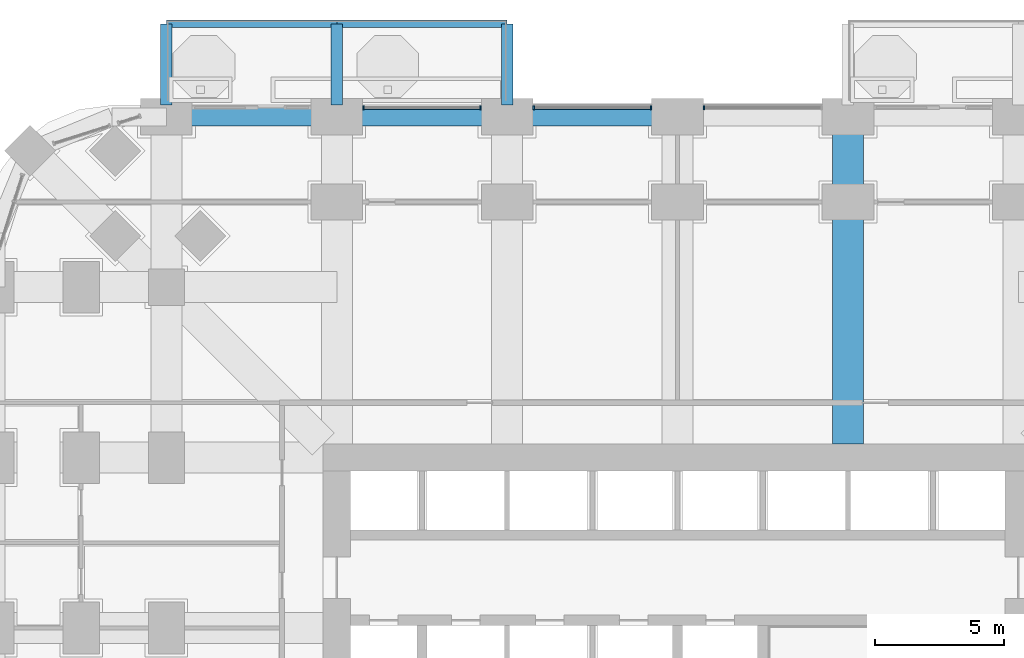
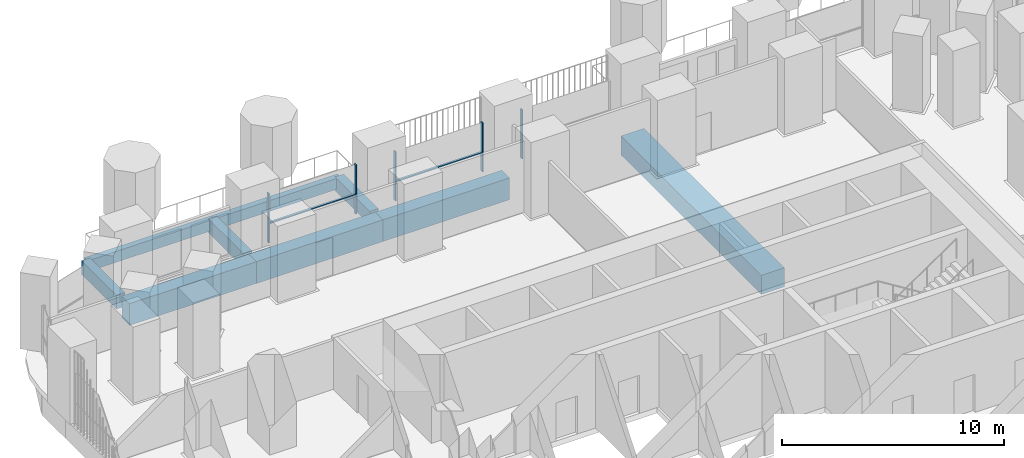
# One storey, part 8 of 25: 9 beams, 7 members, 3 elements without a shape of their own.
"""IFC4 building model written with IfcOpenShell, lengths in metres."""

from ifc_helpers import new_model, si_unit, direction, frame, origin, origin_2d, place, context, subcontext, project, spatial, rectangle, extrude, material, material_profile, profile_set, type_object, element, aggregate, save


model = new_model("IFC4")

# Units and contexts
model_context = context("Model", 3, precision=1e-05, world=origin(), true_north=direction((0.0, 1.0)))
body_context = subcontext(model_context, "Body", "Model", "MODEL_VIEW")
ifc_project = project(units=[si_unit("LENGTHUNIT", "METRE"), si_unit("AREAUNIT", "SQUARE_METRE"), si_unit("VOLUMEUNIT", "CUBIC_METRE"), si_unit("PLANEANGLEUNIT", "RADIAN"), si_unit("MASSUNIT", "GRAM", prefix="KILO")], contexts=[model_context])

# Site, building, storey
site_placement = place(None, origin())
site = spatial("IfcSite", under=ifc_project, at=site_placement, CompositionType="ELEMENT")
building_placement = place(site_placement, origin())
building = spatial("IfcBuilding", under=site, at=building_placement, Name="Cobogo Forest Laboratory Tower", CompositionType="ELEMENT")
storey_placement = place(building_placement, frame((0.0, 0.0, 21.300048828125)))
storey = spatial("IfcBuildingStorey", under=building, at=storey_placement, Name="L04", CompositionType="ELEMENT", Elevation=21.300048828125)

# Beams
ifc_material_1 = material(Name="Concrete HA-40 (C40/50)", Category="concrete")
ifc_material_profile_1 = material_profile(ifc_material_1, rectangle(XDim=0.449951171875, YDim=0.75, at=origin_2d()), Name="RC 450x750")
ifc_profile_set_1 = profile_set([ifc_material_profile_1], Name="Concrete HA-40 (C40/50)")
beam_type_1 = type_object("IfcBeamType", Name="Balcony cantilever beam 450x750", PredefinedType="BEAM", material=ifc_profile_set_1)
for number, where, z_axis, x_axis, name in (
    (1, (6.60009765625, 46.64990234375, -0.625), (0.0, 1.0, 0.0), (-1.0, 0.0, 0.0), "CB1 BAL-N1-C1 L04"),
    (2, (13.199951171875, 46.64990234375, -0.625), (0.0, 1.0, 0.0), (-1.0, 0.0, 0.0), "CB1 BAL-N1-C2 L04"),
    (3, (19.800048828125, 46.64990234375, -0.625), (0.0, 1.0, 0.0), (-1.0, 0.0, 0.0), "CB1 BAL-N1-C3 L04"),
):
    element("IfcBeam", number, at=place(storey_placement, frame(where, z_axis=z_axis, x_axis=x_axis)), inside=storey, type_object=beam_type_1, Name=name, PredefinedType="BEAM", context=body_context, shape_type="SweptSolid", body=[
        extrude(rectangle(XDim=0.449951171875, YDim=0.75, at=origin_2d()), origin(), (0.0, 0.0, 1.0), 3.150146484375),
    ])
ifc_material_profile_2 = material_profile(ifc_material_1, rectangle(XDim=0.300048828125, YDim=0.60009765625, at=origin_2d()), Name="RC 300x600")
ifc_profile_set_2 = profile_set([ifc_material_profile_2], Name="Concrete HA-40 (C40/50)")
beam_type_2 = type_object("IfcBeamType", Name="Balcony edge beam 300x600", PredefinedType="BEAM", material=ifc_profile_set_2)
beam_1_placement = place(storey_placement, frame((6.60009765625, 49.800048828125, -0.550048828125), z_axis=(1.0, 0.0, 0.0), x_axis=(0.0, 1.0, 0.0)))
element("IfcBeam", 4, at=beam_1_placement, inside=storey, type_object=beam_type_2, Name="BB1 BAL-N1-T1 L04", PredefinedType="BEAM", context=body_context, shape_type="SweptSolid", body=[
    extrude(rectangle(XDim=0.300048828125, YDim=0.60009765625, at=origin_2d()), origin(), (0.0, 0.0, 1.0), 6.599853515625),
])
beam_2_placement = place(storey_placement, frame((13.199951171875, 49.800048828125, -0.550048828125), z_axis=(1.0, 0.0, 0.0), x_axis=(0.0, 1.0, 0.0)))
element("IfcBeam", 5, at=beam_2_placement, inside=storey, type_object=beam_type_2, Name="BB1 BAL-N1-T2 L04", PredefinedType="BEAM", context=body_context, shape_type="SweptSolid", body=[
    extrude(rectangle(XDim=0.300048828125, YDim=0.60009765625, at=origin_2d()), origin(), (0.0, 0.0, 1.0), 6.60009765625),
])
ifc_material_profile_3 = material_profile(ifc_material_1, rectangle(XDim=1.199951171875, YDim=1.050048828125, at=origin_2d()), Name="RC 1200x1050")
ifc_profile_set_3 = profile_set([ifc_material_profile_3], Name="Concrete HA-40 (C40/50)")
beam_type_3 = type_object("IfcBeamType", Name="Laboratory floor wide beam 1200x1050", PredefinedType="BEAM", material=ifc_profile_set_3)
beam_3_placement = place(storey_placement, frame((33.0, 33.52490234375, -0.824951171875), z_axis=(0.0, 1.0, 0.0), x_axis=(-1.0, 0.0, 0.0)))
element("IfcBeam", 6, at=beam_3_placement, inside=storey, type_object=beam_type_3, Name="RB1 R-6-N L04", PredefinedType="BEAM", context=body_context, shape_type="SweptSolid", body=[
    extrude(rectangle(XDim=1.199951171875, YDim=1.050048828125, at=origin_2d()), origin(), (0.0, 0.0, 1.0), 12.675048828125),
])

# Curtain wall, member
ifc_material_2 = material(Name="Aluminium curtain wall", Category="aluminium")
curtain_wall_type = type_object("IfcCurtainWallType", Name="CW-1 unitised curtain wall, clear glazing, laboratory floors zones A and B", PredefinedType="USERDEFINED", material=ifc_material_2)
curtain_wall_1_placement = place(storey_placement, origin())
curtain_wall_1 = element("IfcCurtainWall", 7, at=curtain_wall_1_placement, inside=storey, type_object=curtain_wall_type, Name="Curtain wall 20 L04", ObjectType="UNITISED CURTAIN WALL", PredefinedType="USERDEFINED")
ifc_material_3 = material(Name="Aluminium mullion", Category="aluminium")
ifc_material_profile_4 = material_profile(ifc_material_3, rectangle(XDim=0.06005859375, YDim=0.159912109375, at=origin_2d()), Name="AL 60x160")
ifc_profile_set_4 = profile_set([ifc_material_profile_4], Name="Aluminium mullion")
member_type_1 = type_object("IfcMemberType", Name="MU-1 aluminium mullion 60x160", PredefinedType="MULLION", material=ifc_profile_set_4)
member_1_placement = place(storey_placement, frame((27.429931640625, 46.550048828125, 0.0), z_axis=(0.0, 0.0, 1.0), x_axis=(-1.0, 0.0, 0.0)))
member_1 = element("IfcMember", 8, at=member_1_placement, type_object=member_type_1, Name="CW-1 mullion 2", PredefinedType="MULLION", context=body_context, shape_type="SweptSolid", body=[
    extrude(rectangle(XDim=0.06005859375, YDim=0.159912109375, at=origin_2d()), origin(), (0.0, 0.0, 1.0), 2.699951171875),
])
aggregate(curtain_wall_1, [member_1])

# Curtain wall, members
curtain_wall_2_placement = place(storey_placement, origin())
curtain_wall_2 = element("IfcCurtainWall", 9, at=curtain_wall_2_placement, inside=storey, type_object=curtain_wall_type, Name="Curtain wall 21 L04", ObjectType="UNITISED CURTAIN WALL", PredefinedType="USERDEFINED")
member_2_placement = place(storey_placement, frame((25.3701171875, 46.550048828125, 0.0), z_axis=(0.0, 0.0, 1.0), x_axis=(-1.0, 0.0, 0.0)))
member_2 = element("IfcMember", 10, at=member_2_placement, type_object=member_type_1, Name="CW-1 mullion 1", PredefinedType="MULLION", context=body_context, shape_type="SweptSolid", body=[
    extrude(rectangle(XDim=0.06005859375, YDim=0.159912109375, at=origin_2d()), origin(), (0.0, 0.0, 1.0), 2.699951171875),
])
member_3_placement = place(storey_placement, frame((20.830078125, 46.550048828125, 0.0), z_axis=(0.0, 0.0, 1.0), x_axis=(-1.0, 0.0, 0.0)))
member_3 = element("IfcMember", 11, at=member_3_placement, type_object=member_type_1, Name="CW-1 mullion 2", PredefinedType="MULLION", context=body_context, shape_type="SweptSolid", body=[
    extrude(rectangle(XDim=0.06005859375, YDim=0.159912109375, at=origin_2d()), origin(), (0.0, 0.0, 1.0), 2.699951171875),
])

curtain_wall_3_placement = place(storey_placement, origin())
curtain_wall_3 = element("IfcCurtainWall", 12, at=curtain_wall_3_placement, inside=storey, type_object=curtain_wall_type, Name="Curtain wall 22 L04", ObjectType="UNITISED CURTAIN WALL", PredefinedType="USERDEFINED")
member_4_placement = place(storey_placement, frame((18.77001953125, 46.550048828125, 0.0), z_axis=(0.0, 0.0, 1.0), x_axis=(-1.0, 0.0, 0.0)))
member_4 = element("IfcMember", 13, at=member_4_placement, type_object=member_type_1, Name="CW-1 mullion 1", PredefinedType="MULLION", context=body_context, shape_type="SweptSolid", body=[
    extrude(rectangle(XDim=0.06005859375, YDim=0.159912109375, at=origin_2d()), origin(), (0.0, 0.0, 1.0), 2.699951171875),
])
member_5_placement = place(storey_placement, frame((14.22998046875, 46.550048828125, 0.0), z_axis=(0.0, 0.0, 1.0), x_axis=(-1.0, 0.0, 0.0)))
member_5 = element("IfcMember", 14, at=member_5_placement, type_object=member_type_1, Name="CW-1 mullion 2", PredefinedType="MULLION", context=body_context, shape_type="SweptSolid", body=[
    extrude(rectangle(XDim=0.06005859375, YDim=0.159912109375, at=origin_2d()), origin(), (0.0, 0.0, 1.0), 2.699951171875),
])

# Beams
ifc_material_profile_5 = material_profile(ifc_material_1, rectangle(XDim=0.699951171875, YDim=1.199951171875, at=origin_2d()), Name="RC 700x1200")
ifc_profile_set_5 = profile_set([ifc_material_profile_5], Name="Concrete HA-40 (C40/50)")
beam_type_4 = type_object("IfcBeamType", Name="Perimeter edge beam 700x1200", PredefinedType="BEAM", material=ifc_profile_set_5)
beam_4_placement = place(storey_placement, frame((6.60009765625, 46.199951171875, -0.900146484375), z_axis=(1.0, 0.0, 0.0), x_axis=(0.0, 1.0, 0.0)))
element("IfcBeam", 15, at=beam_4_placement, inside=storey, type_object=beam_type_4, Name="EB1 E-N1 L04", PredefinedType="BEAM", context=body_context, shape_type="SweptSolid", body=[
    extrude(rectangle(XDim=0.699951171875, YDim=1.199951171875, at=origin_2d()), origin(), (0.0, 0.0, 1.0), 6.599853515625),
])
beam_5_placement = place(storey_placement, frame((13.199951171875, 46.199951171875, -0.900146484375), z_axis=(1.0, 0.0, 0.0), x_axis=(0.0, 1.0, 0.0)))
element("IfcBeam", 16, at=beam_5_placement, inside=storey, type_object=beam_type_4, Name="EB1 E-N2 L04", PredefinedType="BEAM", context=body_context, shape_type="SweptSolid", body=[
    extrude(rectangle(XDim=0.699951171875, YDim=1.199951171875, at=origin_2d()), origin(), (0.0, 0.0, 1.0), 6.60009765625),
])
beam_6_placement = place(storey_placement, frame((19.800048828125, 46.199951171875, -0.900146484375), z_axis=(1.0, 0.0, 0.0), x_axis=(0.0, 1.0, 0.0)))
element("IfcBeam", 17, at=beam_6_placement, inside=storey, type_object=beam_type_4, Name="EB1 E-N3 L04", PredefinedType="BEAM", context=body_context, shape_type="SweptSolid", body=[
    extrude(rectangle(XDim=0.699951171875, YDim=1.199951171875, at=origin_2d()), origin(), (0.0, 0.0, 1.0), 6.599853515625),
])

# Member
ifc_material_4 = material(Name="Aluminium transom", Category="aluminium")
ifc_material_profile_6 = material_profile(ifc_material_4, rectangle(XDim=0.1201171875, YDim=0.06005859375, at=origin_2d()), Name="AL 60x120")
ifc_profile_set_6 = profile_set([ifc_material_profile_6], Name="Aluminium transom")
member_type_2 = type_object("IfcMemberType", Name="TR-1 aluminium transom 60x120", PredefinedType="USERDEFINED", material=ifc_profile_set_6)
member_6_placement = place(storey_placement, frame((25.340087890625, 46.550048828125, 1.050048828125), z_axis=(-1.0, 0.0, 0.0), x_axis=(0.0, -1.0, 0.0)))
member_6 = element("IfcMember", 18, at=member_6_placement, type_object=member_type_2, Name="CW-1 transom 1.1", ObjectType="TRANSOM", PredefinedType="USERDEFINED", context=body_context, shape_type="SweptSolid", body=[
    extrude(rectangle(XDim=0.1201171875, YDim=0.06005859375, at=origin_2d()), origin(), (0.0, 0.0, 1.0), 4.47998046875),
])

aggregate(curtain_wall_2, [member_2, member_3, member_6])

member_7_placement = place(storey_placement, frame((18.739990234375, 46.550048828125, 1.050048828125), z_axis=(-1.0, 0.0, 0.0), x_axis=(0.0, -1.0, 0.0)))
member_7 = element("IfcMember", 19, at=member_7_placement, type_object=member_type_2, Name="CW-1 transom 1.1", ObjectType="TRANSOM", PredefinedType="USERDEFINED", context=body_context, shape_type="SweptSolid", body=[
    extrude(rectangle(XDim=0.1201171875, YDim=0.06005859375, at=origin_2d()), origin(), (0.0, 0.0, 1.0), 4.47998046875),
])

aggregate(curtain_wall_3, [member_4, member_5, member_7])

save(model, "model.ifc")
